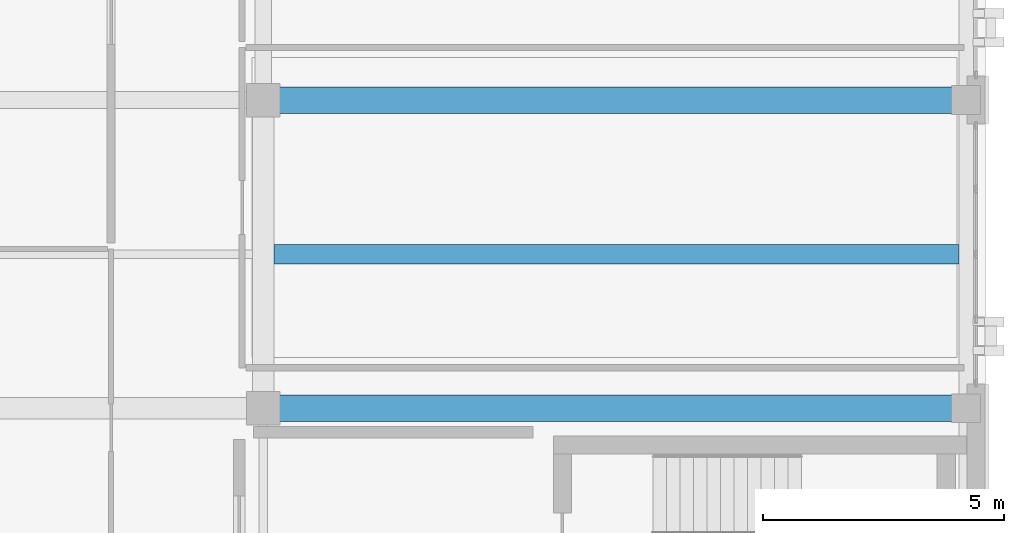
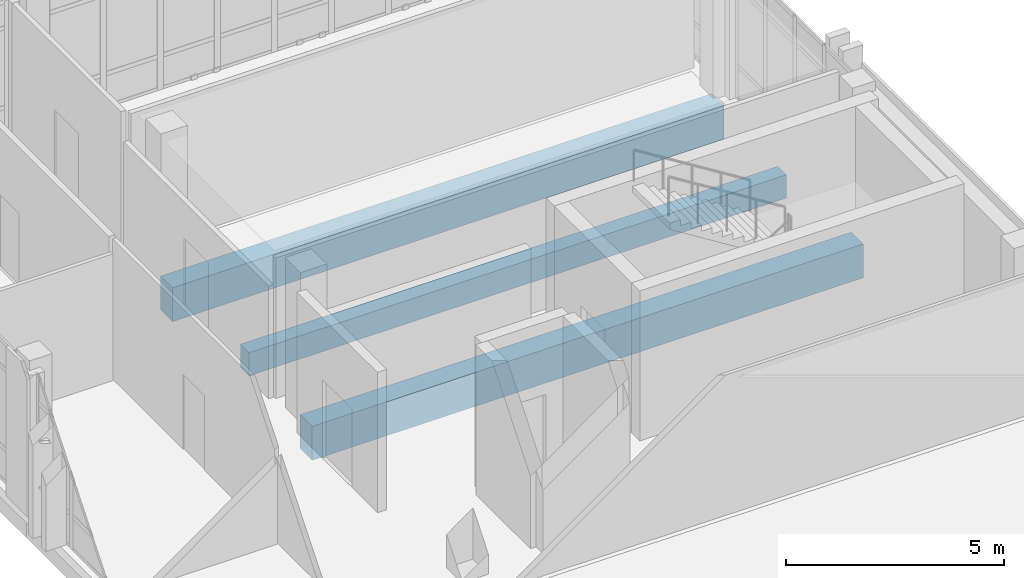
# One storey, part 52 of 90: 3 beams.
"""IFC4 building model written with IfcOpenShell, lengths in metres."""

from ifc_helpers import new_model, si_unit, direction, frame, origin, origin_2d, place, context, subcontext, project, spatial, rectangle, extrude, material, material_profile, profile_set, type_object, element, save


model = new_model("IFC4")

# Units and contexts
model_context = context("Model", 3, precision=1e-05, world=origin(), true_north=direction((0.0, 1.0)))
body_context = subcontext(model_context, "Body", "Model", "MODEL_VIEW")
ifc_project = project(units=[si_unit("LENGTHUNIT", "METRE"), si_unit("AREAUNIT", "SQUARE_METRE"), si_unit("VOLUMEUNIT", "CUBIC_METRE"), si_unit("PLANEANGLEUNIT", "RADIAN"), si_unit("MASSUNIT", "GRAM", prefix="KILO")], contexts=[model_context])

# Site, building, storey
site_placement = place(None, origin())
site = spatial("IfcSite", under=ifc_project, at=site_placement, CompositionType="ELEMENT")
building_placement = place(site_placement, origin())
building = spatial("IfcBuilding", under=site, at=building_placement, Name="Qalavern Law Courts", CompositionType="ELEMENT")
storey_placement = place(building_placement, frame((0.0, 0.0, 22.800048828125)))
storey = spatial("IfcBuildingStorey", under=building, at=storey_placement, Name="L05", CompositionType="ELEMENT", Elevation=22.800048828125)

# Beams
ifc_material_1 = material(Name="Concrete C40/50", Category="concrete")
ifc_material_profile_1 = material_profile(ifc_material_1, rectangle(XDim=0.550048828125, YDim=0.949951171875, at=origin_2d()), Name="RC 550x950")
ifc_profile_set_1 = profile_set([ifc_material_profile_1], Name="Concrete C40/50")
beam_type_1 = type_object("IfcBeamType", Name="STR-BM-RC550x950", PredefinedType="BEAM", material=ifc_profile_set_1)
for number, where, z_axis, x_axis, name in (
    (1, (91.800048828125, 72.800048828125, -0.75), (1.0, 0.0, 0.0), (0.0, 1.0, 0.0), "V4 X-beam 5-2 L05"),
    (2, (91.800048828125, 79.199951171875, -0.75), (1.0, 0.0, 0.0), (0.0, 1.0, 0.0), "V4 X-beam 6-2 L05"),
):
    element("IfcBeam", number, at=place(storey_placement, frame(where, z_axis=z_axis, x_axis=x_axis)), inside=storey, type_object=beam_type_1, Name=name, PredefinedType="BEAM", context=body_context, shape_type="SweptSolid", body=[
        extrude(rectangle(XDim=0.550048828125, YDim=0.949951171875, at=origin_2d()), origin(), (0.0, 0.0, 1.0), 14.599853515625),
    ])
ifc_material_2 = material(Name="Concrete C35/45", Category="concrete")
ifc_material_profile_2 = material_profile(ifc_material_2, rectangle(XDim=0.39990234375, YDim=0.64990234375, at=origin_2d()), Name="RC 400x650")
ifc_profile_set_2 = profile_set([ifc_material_profile_2], Name="Concrete C35/45")
beam_type_2 = type_object("IfcBeamType", Name="STR-JST-RC400x650", PredefinedType="JOIST", material=ifc_profile_set_2)
beam_placement = place(storey_placement, frame((92.02294921875, 76.0, -0.60009765625), z_axis=(1.0, 0.0, 0.0), x_axis=(0.0, 1.0, 0.0)))
element("IfcBeam", 3, at=beam_placement, inside=storey, type_object=beam_type_2, Name="V4 secondary joist 2.5.1 L05", PredefinedType="JOIST", context=body_context, shape_type="SweptSolid", body=[
    extrude(rectangle(XDim=0.39990234375, YDim=0.64990234375, at=origin_2d()), origin(), (0.0, 0.0, 1.0), 14.22900390625),
])

save(model, "model.ifc")
